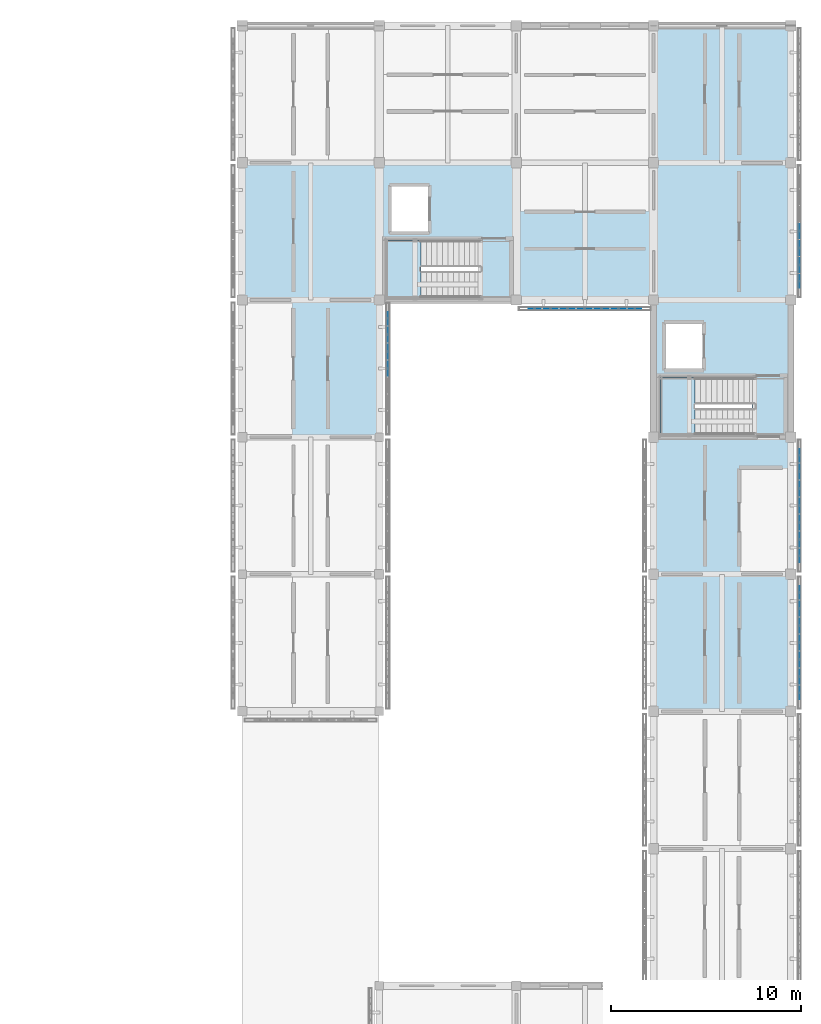
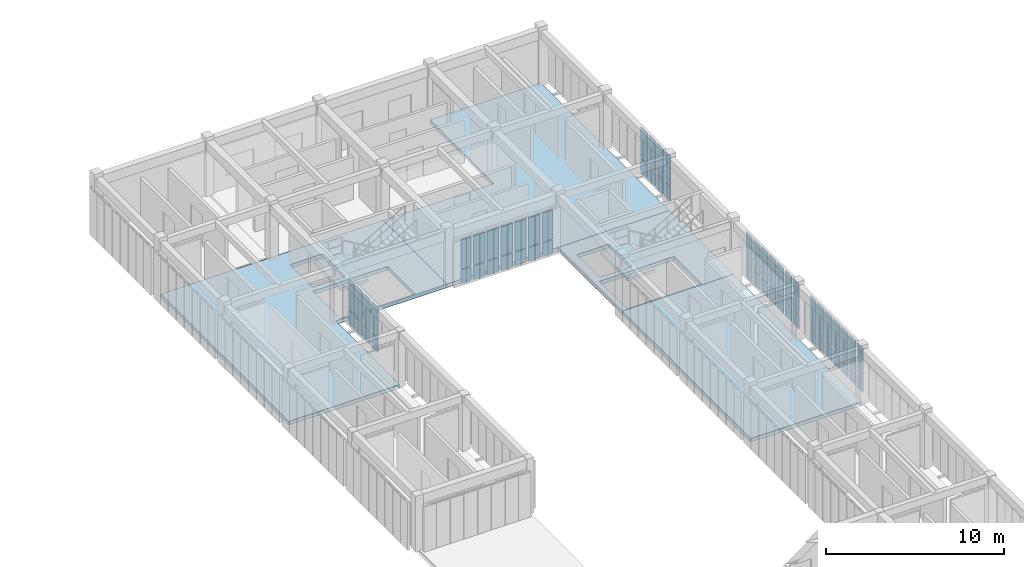
# One storey, part 49 of 67: 58 plates, 6 slabs, 7 elements without a shape of their own.
"""IFC4 building model written with IfcOpenShell, lengths in metres."""

from ifc_helpers import new_model, si_unit, direction, frame, origin, origin_2d, place, context, subcontext, project, spatial, polyline, rectangle, outline, extrude, material, layer, layer_set, type_object, element, aggregate, save


model = new_model("IFC4")

# Units and contexts
model_context = context("Model", 3, precision=1e-05, world=origin(), true_north=direction((0.0, 1.0)))
body_context = subcontext(model_context, "Body", "Model", "MODEL_VIEW")
ifc_project = project(units=[si_unit("LENGTHUNIT", "METRE"), si_unit("AREAUNIT", "SQUARE_METRE"), si_unit("VOLUMEUNIT", "CUBIC_METRE"), si_unit("PLANEANGLEUNIT", "RADIAN"), si_unit("MASSUNIT", "GRAM", prefix="KILO")], contexts=[model_context])

# Site, building, storey
site_placement = place(None, origin())
site = spatial("IfcSite", under=ifc_project, at=site_placement, CompositionType="ELEMENT")
building_placement = place(site_placement, origin())
building = spatial("IfcBuilding", under=site, at=building_placement, Name="Aldebral Square Health Centre", CompositionType="ELEMENT")
storey_placement = place(building_placement, frame((0.0, 0.0, 13.5)))
storey = spatial("IfcBuildingStorey", under=building, at=storey_placement, Name="L03", CompositionType="ELEMENT", Elevation=13.5)

# Curtain wall, plates
ifc_material_1 = material(Name="Aluminium and low-E solar glass", Category="aluminium")
curtain_wall_type = type_object("IfcCurtainWallType", Name="CW-FIN-SYS", PredefinedType="USERDEFINED", material=ifc_material_1)
curtain_wall_1_placement = place(storey_placement, origin())
curtain_wall_1 = element("IfcCurtainWall", 1, at=curtain_wall_1_placement, inside=storey, type_object=curtain_wall_type, Name="L03 V5 finned curtain wall L03-V5-21-14-S", ObjectType="SOLAR_CURTAIN_WALL", PredefinedType="USERDEFINED")
ifc_material_2 = material(Name="Solar-control low-E double glass", Category="glass")
ifc_layer_1 = layer(ifc_material_2, 0.02001953125, Name="Solar-control low-E double glass", Category="glass")
ifc_layer_set_1 = layer_set([ifc_layer_1], Name="Solar-control low-E double glass")
plate_type_1 = type_object("IfcPlateType", Name="CWP-GLZ-1", PredefinedType="CURTAIN_PANEL", material=ifc_layer_set_1)
plate_1_placement = place(storey_placement, frame((152.165771484375, 100.340087890625, 0.074951171875), z_axis=(0.0, 0.0, 1.0), x_axis=(1.0, 0.0, 0.0)))
plate_1 = element("IfcPlate", 2, at=plate_1_placement, type_object=plate_type_1, Name="CW1 panel 1.1", PredefinedType="CURTAIN_PANEL", context=body_context, shape_type="SweptSolid", body=[
    extrude(rectangle(XDim=0.6513671875, YDim=0.02001953125, at=origin_2d()), origin(), (0.0, 0.0, 1.0), 0.9375),
])
plate_2_placement = place(storey_placement, frame((152.165771484375, 100.340087890625, 1.08740234375), z_axis=(0.0, 0.0, 1.0), x_axis=(1.0, 0.0, 0.0)))
plate_2 = element("IfcPlate", 3, at=plate_2_placement, type_object=plate_type_1, Name="CW1 panel 1.2", PredefinedType="CURTAIN_PANEL", context=body_context, shape_type="SweptSolid", body=[
    extrude(rectangle(XDim=0.6513671875, YDim=0.02001953125, at=origin_2d()), origin(), (0.0, 0.0, 1.0), 1.9775390625),
])
plate_3_placement = place(storey_placement, frame((153.01708984375, 100.340087890625, 0.074951171875), z_axis=(0.0, 0.0, 1.0), x_axis=(1.0, 0.0, 0.0)))
plate_3 = element("IfcPlate", 4, at=plate_3_placement, type_object=plate_type_1, Name="CW1 panel 2.1", PredefinedType="CURTAIN_PANEL", context=body_context, shape_type="SweptSolid", body=[
    extrude(rectangle(XDim=0.7314453125, YDim=0.02001953125, at=origin_2d()), origin(), (0.0, 0.0, 1.0), 0.9375),
])
plate_4_placement = place(storey_placement, frame((153.01708984375, 100.340087890625, 1.08740234375), z_axis=(0.0, 0.0, 1.0), x_axis=(1.0, 0.0, 0.0)))
plate_4 = element("IfcPlate", 5, at=plate_4_placement, type_object=plate_type_1, Name="CW1 panel 2.2", PredefinedType="CURTAIN_PANEL", context=body_context, shape_type="SweptSolid", body=[
    extrude(rectangle(XDim=0.7314453125, YDim=0.02001953125, at=origin_2d()), origin(), (0.0, 0.0, 1.0), 1.9775390625),
])
plate_5_placement = place(storey_placement, frame((153.90869140625, 100.340087890625, 0.074951171875), z_axis=(0.0, 0.0, 1.0), x_axis=(1.0, 0.0, 0.0)))
plate_5 = element("IfcPlate", 6, at=plate_5_placement, type_object=plate_type_1, Name="CW1 panel 3.1", PredefinedType="CURTAIN_PANEL", context=body_context, shape_type="SweptSolid", body=[
    extrude(rectangle(XDim=0.7314453125, YDim=0.02001953125, at=origin_2d()), origin(), (0.0, 0.0, 1.0), 0.9375),
])
plate_6_placement = place(storey_placement, frame((153.90869140625, 100.340087890625, 1.08740234375), z_axis=(0.0, 0.0, 1.0), x_axis=(1.0, 0.0, 0.0)))
plate_6 = element("IfcPlate", 7, at=plate_6_placement, type_object=plate_type_1, Name="CW1 panel 3.2", PredefinedType="CURTAIN_PANEL", context=body_context, shape_type="SweptSolid", body=[
    extrude(rectangle(XDim=0.7314453125, YDim=0.02001953125, at=origin_2d()), origin(), (0.0, 0.0, 1.0), 1.9775390625),
])
plate_7_placement = place(storey_placement, frame((154.800048828125, 100.340087890625, 0.074951171875), z_axis=(0.0, 0.0, 1.0), x_axis=(1.0, 0.0, 0.0)))
plate_7 = element("IfcPlate", 8, at=plate_7_placement, type_object=plate_type_1, Name="CW1 panel 4.1", PredefinedType="CURTAIN_PANEL", context=body_context, shape_type="SweptSolid", body=[
    extrude(rectangle(XDim=0.7314453125, YDim=0.02001953125, at=origin_2d()), origin(), (0.0, 0.0, 1.0), 0.9375),
])
plate_8_placement = place(storey_placement, frame((154.800048828125, 100.340087890625, 1.08740234375), z_axis=(0.0, 0.0, 1.0), x_axis=(1.0, 0.0, 0.0)))
plate_8 = element("IfcPlate", 9, at=plate_8_placement, type_object=plate_type_1, Name="CW1 panel 4.2", PredefinedType="CURTAIN_PANEL", context=body_context, shape_type="SweptSolid", body=[
    extrude(rectangle(XDim=0.7314453125, YDim=0.02001953125, at=origin_2d()), origin(), (0.0, 0.0, 1.0), 1.9775390625),
])
plate_9_placement = place(storey_placement, frame((155.69140625, 100.340087890625, 0.074951171875), z_axis=(0.0, 0.0, 1.0), x_axis=(1.0, 0.0, 0.0)))
plate_9 = element("IfcPlate", 10, at=plate_9_placement, type_object=plate_type_1, Name="CW1 panel 5.1", PredefinedType="CURTAIN_PANEL", context=body_context, shape_type="SweptSolid", body=[
    extrude(rectangle(XDim=0.7314453125, YDim=0.02001953125, at=origin_2d()), origin(), (0.0, 0.0, 1.0), 0.9375),
])
plate_10_placement = place(storey_placement, frame((155.69140625, 100.340087890625, 1.08740234375), z_axis=(0.0, 0.0, 1.0), x_axis=(1.0, 0.0, 0.0)))
plate_10 = element("IfcPlate", 11, at=plate_10_placement, type_object=plate_type_1, Name="CW1 panel 5.2", PredefinedType="CURTAIN_PANEL", context=body_context, shape_type="SweptSolid", body=[
    extrude(rectangle(XDim=0.7314453125, YDim=0.02001953125, at=origin_2d()), origin(), (0.0, 0.0, 1.0), 1.9775390625),
])
plate_11_placement = place(storey_placement, frame((156.582763671875, 100.340087890625, 0.074951171875), z_axis=(0.0, 0.0, 1.0), x_axis=(1.0, 0.0, 0.0)))
plate_11 = element("IfcPlate", 12, at=plate_11_placement, type_object=plate_type_1, Name="CW1 panel 6.1", PredefinedType="CURTAIN_PANEL", context=body_context, shape_type="SweptSolid", body=[
    extrude(rectangle(XDim=0.7314453125, YDim=0.02001953125, at=origin_2d()), origin(), (0.0, 0.0, 1.0), 0.9375),
])
plate_12_placement = place(storey_placement, frame((156.582763671875, 100.340087890625, 1.08740234375), z_axis=(0.0, 0.0, 1.0), x_axis=(1.0, 0.0, 0.0)))
plate_12 = element("IfcPlate", 13, at=plate_12_placement, type_object=plate_type_1, Name="CW1 panel 6.2", PredefinedType="CURTAIN_PANEL", context=body_context, shape_type="SweptSolid", body=[
    extrude(rectangle(XDim=0.7314453125, YDim=0.02001953125, at=origin_2d()), origin(), (0.0, 0.0, 1.0), 1.9775390625),
])
plate_13_placement = place(storey_placement, frame((157.434326171875, 100.340087890625, 0.074951171875), z_axis=(0.0, 0.0, 1.0), x_axis=(1.0, 0.0, 0.0)))
plate_13 = element("IfcPlate", 14, at=plate_13_placement, type_object=plate_type_1, Name="CW1 panel 7.1", PredefinedType="CURTAIN_PANEL", context=body_context, shape_type="SweptSolid", body=[
    extrude(rectangle(XDim=0.6513671875, YDim=0.02001953125, at=origin_2d()), origin(), (0.0, 0.0, 1.0), 0.9375),
])
plate_14_placement = place(storey_placement, frame((157.434326171875, 100.340087890625, 1.08740234375), z_axis=(0.0, 0.0, 1.0), x_axis=(1.0, 0.0, 0.0)))
plate_14 = element("IfcPlate", 15, at=plate_14_placement, type_object=plate_type_1, Name="CW1 panel 7.2", PredefinedType="CURTAIN_PANEL", context=body_context, shape_type="SweptSolid", body=[
    extrude(rectangle(XDim=0.6513671875, YDim=0.02001953125, at=origin_2d()), origin(), (0.0, 0.0, 1.0), 1.9775390625),
])
aggregate(curtain_wall_1, [plate_1, plate_2, plate_3, plate_4, plate_5, plate_6, plate_7, plate_8, plate_9, plate_10, plate_11, plate_12, plate_13, plate_14])

curtain_wall_2_placement = place(storey_placement, origin())
curtain_wall_2 = element("IfcCurtainWall", 16, at=curtain_wall_2_placement, inside=storey, type_object=curtain_wall_type, Name="L03 V5 finned curtain wall L03-V5-22-11-E", ObjectType="SOLAR_CURTAIN_WALL", PredefinedType="USERDEFINED")
plate_15_placement = place(storey_placement, frame((166.06005859375, 80.165771484375, 0.074951171875), z_axis=(0.0, 0.0, 1.0), x_axis=(0.0, 1.0, 0.0)))
plate_15 = element("IfcPlate", 17, at=plate_15_placement, type_object=plate_type_1, Name="CW1 panel 1.1", PredefinedType="CURTAIN_PANEL", context=body_context, shape_type="SweptSolid", body=[
    extrude(rectangle(XDim=0.6513671875, YDim=0.02001953125, at=origin_2d()), origin(), (0.0, 0.0, 1.0), 0.9375),
])
plate_16_placement = place(storey_placement, frame((166.06005859375, 80.165771484375, 1.08740234375), z_axis=(0.0, 0.0, 1.0), x_axis=(0.0, 1.0, 0.0)))
plate_16 = element("IfcPlate", 18, at=plate_16_placement, type_object=plate_type_1, Name="CW1 panel 1.2", PredefinedType="CURTAIN_PANEL", context=body_context, shape_type="SweptSolid", body=[
    extrude(rectangle(XDim=0.6513671875, YDim=0.02001953125, at=origin_2d()), origin(), (0.0, 0.0, 1.0), 2.077392578125),
])
plate_17_placement = place(storey_placement, frame((166.06005859375, 81.01708984375, 0.074951171875), z_axis=(0.0, 0.0, 1.0), x_axis=(0.0, 1.0, 0.0)))
plate_17 = element("IfcPlate", 19, at=plate_17_placement, type_object=plate_type_1, Name="CW1 panel 2.1", PredefinedType="CURTAIN_PANEL", context=body_context, shape_type="SweptSolid", body=[
    extrude(rectangle(XDim=0.7314453125, YDim=0.02001953125, at=origin_2d()), origin(), (0.0, 0.0, 1.0), 0.9375),
])
plate_18_placement = place(storey_placement, frame((166.06005859375, 81.01708984375, 1.08740234375), z_axis=(0.0, 0.0, 1.0), x_axis=(0.0, 1.0, 0.0)))
plate_18 = element("IfcPlate", 20, at=plate_18_placement, type_object=plate_type_1, Name="CW1 panel 2.2", PredefinedType="CURTAIN_PANEL", context=body_context, shape_type="SweptSolid", body=[
    extrude(rectangle(XDim=0.7314453125, YDim=0.02001953125, at=origin_2d()), origin(), (0.0, 0.0, 1.0), 2.077392578125),
])
plate_19_placement = place(storey_placement, frame((166.06005859375, 81.90869140625, 0.074951171875), z_axis=(0.0, 0.0, 1.0), x_axis=(0.0, 1.0, 0.0)))
plate_19 = element("IfcPlate", 21, at=plate_19_placement, type_object=plate_type_1, Name="CW1 panel 3.1", PredefinedType="CURTAIN_PANEL", context=body_context, shape_type="SweptSolid", body=[
    extrude(rectangle(XDim=0.7314453125, YDim=0.02001953125, at=origin_2d()), origin(), (0.0, 0.0, 1.0), 0.9375),
])
plate_20_placement = place(storey_placement, frame((166.06005859375, 81.90869140625, 1.08740234375), z_axis=(0.0, 0.0, 1.0), x_axis=(0.0, 1.0, 0.0)))
plate_20 = element("IfcPlate", 22, at=plate_20_placement, type_object=plate_type_1, Name="CW1 panel 3.2", PredefinedType="CURTAIN_PANEL", context=body_context, shape_type="SweptSolid", body=[
    extrude(rectangle(XDim=0.7314453125, YDim=0.02001953125, at=origin_2d()), origin(), (0.0, 0.0, 1.0), 2.077392578125),
])
plate_21_placement = place(storey_placement, frame((166.06005859375, 82.800048828125, 0.074951171875), z_axis=(0.0, 0.0, 1.0), x_axis=(0.0, 1.0, 0.0)))
plate_21 = element("IfcPlate", 23, at=plate_21_placement, type_object=plate_type_1, Name="CW1 panel 4.1", PredefinedType="CURTAIN_PANEL", context=body_context, shape_type="SweptSolid", body=[
    extrude(rectangle(XDim=0.7314453125, YDim=0.02001953125, at=origin_2d()), origin(), (0.0, 0.0, 1.0), 0.9375),
])
plate_22_placement = place(storey_placement, frame((166.06005859375, 82.800048828125, 1.08740234375), z_axis=(0.0, 0.0, 1.0), x_axis=(0.0, 1.0, 0.0)))
plate_22 = element("IfcPlate", 24, at=plate_22_placement, type_object=plate_type_1, Name="CW1 panel 4.2", PredefinedType="CURTAIN_PANEL", context=body_context, shape_type="SweptSolid", body=[
    extrude(rectangle(XDim=0.7314453125, YDim=0.02001953125, at=origin_2d()), origin(), (0.0, 0.0, 1.0), 2.077392578125),
])
plate_23_placement = place(storey_placement, frame((166.06005859375, 83.69140625, 0.074951171875), z_axis=(0.0, 0.0, 1.0), x_axis=(0.0, 1.0, 0.0)))
plate_23 = element("IfcPlate", 25, at=plate_23_placement, type_object=plate_type_1, Name="CW1 panel 5.1", PredefinedType="CURTAIN_PANEL", context=body_context, shape_type="SweptSolid", body=[
    extrude(rectangle(XDim=0.7314453125, YDim=0.02001953125, at=origin_2d()), origin(), (0.0, 0.0, 1.0), 0.9375),
])
plate_24_placement = place(storey_placement, frame((166.06005859375, 83.69140625, 1.08740234375), z_axis=(0.0, 0.0, 1.0), x_axis=(0.0, 1.0, 0.0)))
plate_24 = element("IfcPlate", 26, at=plate_24_placement, type_object=plate_type_1, Name="CW1 panel 5.2", PredefinedType="CURTAIN_PANEL", context=body_context, shape_type="SweptSolid", body=[
    extrude(rectangle(XDim=0.7314453125, YDim=0.02001953125, at=origin_2d()), origin(), (0.0, 0.0, 1.0), 2.077392578125),
])
plate_25_placement = place(storey_placement, frame((166.06005859375, 84.582763671875, 0.074951171875), z_axis=(0.0, 0.0, 1.0), x_axis=(0.0, 1.0, 0.0)))
plate_25 = element("IfcPlate", 27, at=plate_25_placement, type_object=plate_type_1, Name="CW1 panel 6.1", PredefinedType="CURTAIN_PANEL", context=body_context, shape_type="SweptSolid", body=[
    extrude(rectangle(XDim=0.7314453125, YDim=0.02001953125, at=origin_2d()), origin(), (0.0, 0.0, 1.0), 0.9375),
])
plate_26_placement = place(storey_placement, frame((166.06005859375, 84.582763671875, 1.08740234375), z_axis=(0.0, 0.0, 1.0), x_axis=(0.0, 1.0, 0.0)))
plate_26 = element("IfcPlate", 28, at=plate_26_placement, type_object=plate_type_1, Name="CW1 panel 6.2", PredefinedType="CURTAIN_PANEL", context=body_context, shape_type="SweptSolid", body=[
    extrude(rectangle(XDim=0.7314453125, YDim=0.02001953125, at=origin_2d()), origin(), (0.0, 0.0, 1.0), 2.077392578125),
])
plate_27_placement = place(storey_placement, frame((166.06005859375, 85.434326171875, 0.074951171875), z_axis=(0.0, 0.0, 1.0), x_axis=(0.0, 1.0, 0.0)))
plate_27 = element("IfcPlate", 29, at=plate_27_placement, type_object=plate_type_1, Name="CW1 panel 7.1", PredefinedType="CURTAIN_PANEL", context=body_context, shape_type="SweptSolid", body=[
    extrude(rectangle(XDim=0.6513671875, YDim=0.02001953125, at=origin_2d()), origin(), (0.0, 0.0, 1.0), 0.9375),
])
plate_28_placement = place(storey_placement, frame((166.06005859375, 85.434326171875, 1.08740234375), z_axis=(0.0, 0.0, 1.0), x_axis=(0.0, 1.0, 0.0)))
plate_28 = element("IfcPlate", 30, at=plate_28_placement, type_object=plate_type_1, Name="CW1 panel 7.2", PredefinedType="CURTAIN_PANEL", context=body_context, shape_type="SweptSolid", body=[
    extrude(rectangle(XDim=0.6513671875, YDim=0.02001953125, at=origin_2d()), origin(), (0.0, 0.0, 1.0), 2.077392578125),
])
aggregate(curtain_wall_2, [plate_15, plate_16, plate_17, plate_18, plate_19, plate_20, plate_21, plate_22, plate_23, plate_24, plate_25, plate_26, plate_27, plate_28])

curtain_wall_3_placement = place(storey_placement, origin())
curtain_wall_3 = element("IfcCurtainWall", 31, at=curtain_wall_3_placement, inside=storey, type_object=curtain_wall_type, Name="L03 V5 finned curtain wall L03-V5-19-13-E", ObjectType="SOLAR_CURTAIN_WALL", PredefinedType="USERDEFINED")
ifc_layer_2 = layer(ifc_material_2, 0.0400390625, Name="Solar-control low-E double glass", Category="glass")
ifc_layer_set_2 = layer_set([ifc_layer_2], Name="Solar-control low-E double glass")
plate_type_2 = type_object("IfcPlateType", Name="CWP-GLZ-3", PredefinedType="CURTAIN_PANEL", material=ifc_layer_set_2)
plate_29_placement = place(storey_placement, frame((144.4599609375, 97.199951171875, 0.074951171875), z_axis=(0.0, 0.0, 1.0), x_axis=(0.0, 1.0, 0.0)))
plate_29 = element("IfcPlate", 32, at=plate_29_placement, type_object=plate_type_2, Name="CW1 panel 4.1", PredefinedType="CURTAIN_PANEL", context=body_context, shape_type="SweptSolid", body=[
    extrude(rectangle(XDim=0.7314453125, YDim=0.0400390625, at=origin_2d()), origin(), (0.0, 0.0, 1.0), 0.9375),
])
plate_30_placement = place(storey_placement, frame((144.4599609375, 97.199951171875, 1.08740234375), z_axis=(0.0, 0.0, 1.0), x_axis=(0.0, 1.0, 0.0)))
plate_30 = element("IfcPlate", 33, at=plate_30_placement, type_object=plate_type_2, Name="CW1 panel 4.2", PredefinedType="CURTAIN_PANEL", context=body_context, shape_type="SweptSolid", body=[
    extrude(rectangle(XDim=0.7314453125, YDim=0.0400390625, at=origin_2d()), origin(), (0.0, 0.0, 1.0), 2.077392578125),
])
plate_31_placement = place(storey_placement, frame((144.4599609375, 98.09130859375, 0.074951171875), z_axis=(0.0, 0.0, 1.0), x_axis=(0.0, 1.0, 0.0)))
plate_31 = element("IfcPlate", 34, at=plate_31_placement, type_object=plate_type_2, Name="CW1 panel 5.1", PredefinedType="CURTAIN_PANEL", context=body_context, shape_type="SweptSolid", body=[
    extrude(rectangle(XDim=0.7314453125, YDim=0.0400390625, at=origin_2d()), origin(), (0.0, 0.0, 1.0), 0.9375),
])
plate_32_placement = place(storey_placement, frame((144.4599609375, 98.09130859375, 1.08740234375), z_axis=(0.0, 0.0, 1.0), x_axis=(0.0, 1.0, 0.0)))
plate_32 = element("IfcPlate", 35, at=plate_32_placement, type_object=plate_type_2, Name="CW1 panel 5.2", PredefinedType="CURTAIN_PANEL", context=body_context, shape_type="SweptSolid", body=[
    extrude(rectangle(XDim=0.7314453125, YDim=0.0400390625, at=origin_2d()), origin(), (0.0, 0.0, 1.0), 2.077392578125),
])
plate_33_placement = place(storey_placement, frame((144.4599609375, 98.98291015625, 0.074951171875), z_axis=(0.0, 0.0, 1.0), x_axis=(0.0, 1.0, 0.0)))
plate_33 = element("IfcPlate", 36, at=plate_33_placement, type_object=plate_type_2, Name="CW1 panel 6.1", PredefinedType="CURTAIN_PANEL", context=body_context, shape_type="SweptSolid", body=[
    extrude(rectangle(XDim=0.7314453125, YDim=0.0400390625, at=origin_2d()), origin(), (0.0, 0.0, 1.0), 0.9375),
])
plate_34_placement = place(storey_placement, frame((144.4599609375, 98.98291015625, 1.08740234375), z_axis=(0.0, 0.0, 1.0), x_axis=(0.0, 1.0, 0.0)))
plate_34 = element("IfcPlate", 37, at=plate_34_placement, type_object=plate_type_2, Name="CW1 panel 6.2", PredefinedType="CURTAIN_PANEL", context=body_context, shape_type="SweptSolid", body=[
    extrude(rectangle(XDim=0.7314453125, YDim=0.0400390625, at=origin_2d()), origin(), (0.0, 0.0, 1.0), 2.077392578125),
])
plate_35_placement = place(storey_placement, frame((144.4599609375, 99.834228515625, 0.074951171875), z_axis=(0.0, 0.0, 1.0), x_axis=(0.0, 1.0, 0.0)))
plate_35 = element("IfcPlate", 38, at=plate_35_placement, type_object=plate_type_2, Name="CW1 panel 7.1", PredefinedType="CURTAIN_PANEL", context=body_context, shape_type="SweptSolid", body=[
    extrude(rectangle(XDim=0.6513671875, YDim=0.0400390625, at=origin_2d()), origin(), (0.0, 0.0, 1.0), 0.9375),
])
plate_36_placement = place(storey_placement, frame((144.4599609375, 99.834228515625, 1.08740234375), z_axis=(0.0, 0.0, 1.0), x_axis=(0.0, 1.0, 0.0)))
plate_36 = element("IfcPlate", 39, at=plate_36_placement, type_object=plate_type_2, Name="CW1 panel 7.2", PredefinedType="CURTAIN_PANEL", context=body_context, shape_type="SweptSolid", body=[
    extrude(rectangle(XDim=0.6513671875, YDim=0.0400390625, at=origin_2d()), origin(), (0.0, 0.0, 1.0), 2.077392578125),
])
aggregate(curtain_wall_3, [plate_29, plate_30, plate_31, plate_32, plate_33, plate_34, plate_35, plate_36])

curtain_wall_4_placement = place(storey_placement, origin())
curtain_wall_4 = element("IfcCurtainWall", 40, at=curtain_wall_4_placement, inside=storey, type_object=curtain_wall_type, Name="L03 V5 finned curtain wall L03-V5-22-12-E", ObjectType="SOLAR_CURTAIN_WALL", PredefinedType="USERDEFINED")
plate_37_placement = place(storey_placement, frame((166.06005859375, 87.36572265625, 0.074951171875), z_axis=(0.0, 0.0, 1.0), x_axis=(0.0, 1.0, 0.0)))
plate_37 = element("IfcPlate", 41, at=plate_37_placement, type_object=plate_type_2, Name="CW1 panel 1.1", PredefinedType="CURTAIN_PANEL", context=body_context, shape_type="SweptSolid", body=[
    extrude(rectangle(XDim=0.6513671875, YDim=0.0400390625, at=origin_2d()), origin(), (0.0, 0.0, 1.0), 0.9375),
])
plate_38_placement = place(storey_placement, frame((166.06005859375, 87.36572265625, 1.08740234375), z_axis=(0.0, 0.0, 1.0), x_axis=(0.0, 1.0, 0.0)))
plate_38 = element("IfcPlate", 42, at=plate_38_placement, type_object=plate_type_2, Name="CW1 panel 1.2", PredefinedType="CURTAIN_PANEL", context=body_context, shape_type="SweptSolid", body=[
    extrude(rectangle(XDim=0.6513671875, YDim=0.0400390625, at=origin_2d()), origin(), (0.0, 0.0, 1.0), 2.077392578125),
])
plate_39_placement = place(storey_placement, frame((166.06005859375, 88.217041015625, 0.074951171875), z_axis=(0.0, 0.0, 1.0), x_axis=(0.0, 1.0, 0.0)))
plate_39 = element("IfcPlate", 43, at=plate_39_placement, type_object=plate_type_2, Name="CW1 panel 2.1", PredefinedType="CURTAIN_PANEL", context=body_context, shape_type="SweptSolid", body=[
    extrude(rectangle(XDim=0.7314453125, YDim=0.0400390625, at=origin_2d()), origin(), (0.0, 0.0, 1.0), 0.9375),
])
plate_40_placement = place(storey_placement, frame((166.06005859375, 88.217041015625, 1.08740234375), z_axis=(0.0, 0.0, 1.0), x_axis=(0.0, 1.0, 0.0)))
plate_40 = element("IfcPlate", 44, at=plate_40_placement, type_object=plate_type_2, Name="CW1 panel 2.2", PredefinedType="CURTAIN_PANEL", context=body_context, shape_type="SweptSolid", body=[
    extrude(rectangle(XDim=0.7314453125, YDim=0.0400390625, at=origin_2d()), origin(), (0.0, 0.0, 1.0), 2.077392578125),
])
plate_41_placement = place(storey_placement, frame((166.06005859375, 89.108642578125, 0.074951171875), z_axis=(0.0, 0.0, 1.0), x_axis=(0.0, 1.0, 0.0)))
plate_41 = element("IfcPlate", 45, at=plate_41_placement, type_object=plate_type_2, Name="CW1 panel 3.1", PredefinedType="CURTAIN_PANEL", context=body_context, shape_type="SweptSolid", body=[
    extrude(rectangle(XDim=0.7314453125, YDim=0.0400390625, at=origin_2d()), origin(), (0.0, 0.0, 1.0), 0.9375),
])
plate_42_placement = place(storey_placement, frame((166.06005859375, 89.108642578125, 1.08740234375), z_axis=(0.0, 0.0, 1.0), x_axis=(0.0, 1.0, 0.0)))
plate_42 = element("IfcPlate", 46, at=plate_42_placement, type_object=plate_type_2, Name="CW1 panel 3.2", PredefinedType="CURTAIN_PANEL", context=body_context, shape_type="SweptSolid", body=[
    extrude(rectangle(XDim=0.7314453125, YDim=0.0400390625, at=origin_2d()), origin(), (0.0, 0.0, 1.0), 2.077392578125),
])
plate_43_placement = place(storey_placement, frame((166.06005859375, 90.0, 0.074951171875), z_axis=(0.0, 0.0, 1.0), x_axis=(0.0, 1.0, 0.0)))
plate_43 = element("IfcPlate", 47, at=plate_43_placement, type_object=plate_type_2, Name="CW1 panel 4.1", PredefinedType="CURTAIN_PANEL", context=body_context, shape_type="SweptSolid", body=[
    extrude(rectangle(XDim=0.7314453125, YDim=0.0400390625, at=origin_2d()), origin(), (0.0, 0.0, 1.0), 0.9375),
])
plate_44_placement = place(storey_placement, frame((166.06005859375, 90.0, 1.08740234375), z_axis=(0.0, 0.0, 1.0), x_axis=(0.0, 1.0, 0.0)))
plate_44 = element("IfcPlate", 48, at=plate_44_placement, type_object=plate_type_2, Name="CW1 panel 4.2", PredefinedType="CURTAIN_PANEL", context=body_context, shape_type="SweptSolid", body=[
    extrude(rectangle(XDim=0.7314453125, YDim=0.0400390625, at=origin_2d()), origin(), (0.0, 0.0, 1.0), 2.077392578125),
])
plate_45_placement = place(storey_placement, frame((166.06005859375, 90.891357421875, 0.074951171875), z_axis=(0.0, 0.0, 1.0), x_axis=(0.0, 1.0, 0.0)))
plate_45 = element("IfcPlate", 49, at=plate_45_placement, type_object=plate_type_2, Name="CW1 panel 5.1", PredefinedType="CURTAIN_PANEL", context=body_context, shape_type="SweptSolid", body=[
    extrude(rectangle(XDim=0.7314453125, YDim=0.0400390625, at=origin_2d()), origin(), (0.0, 0.0, 1.0), 0.9375),
])
plate_46_placement = place(storey_placement, frame((166.06005859375, 90.891357421875, 1.08740234375), z_axis=(0.0, 0.0, 1.0), x_axis=(0.0, 1.0, 0.0)))
plate_46 = element("IfcPlate", 50, at=plate_46_placement, type_object=plate_type_2, Name="CW1 panel 5.2", PredefinedType="CURTAIN_PANEL", context=body_context, shape_type="SweptSolid", body=[
    extrude(rectangle(XDim=0.7314453125, YDim=0.0400390625, at=origin_2d()), origin(), (0.0, 0.0, 1.0), 2.077392578125),
])
plate_47_placement = place(storey_placement, frame((166.06005859375, 91.782958984375, 0.074951171875), z_axis=(0.0, 0.0, 1.0), x_axis=(0.0, 1.0, 0.0)))
plate_47 = element("IfcPlate", 51, at=plate_47_placement, type_object=plate_type_2, Name="CW1 panel 6.1", PredefinedType="CURTAIN_PANEL", context=body_context, shape_type="SweptSolid", body=[
    extrude(rectangle(XDim=0.7314453125, YDim=0.0400390625, at=origin_2d()), origin(), (0.0, 0.0, 1.0), 0.9375),
])
plate_48_placement = place(storey_placement, frame((166.06005859375, 91.782958984375, 1.08740234375), z_axis=(0.0, 0.0, 1.0), x_axis=(0.0, 1.0, 0.0)))
plate_48 = element("IfcPlate", 52, at=plate_48_placement, type_object=plate_type_2, Name="CW1 panel 6.2", PredefinedType="CURTAIN_PANEL", context=body_context, shape_type="SweptSolid", body=[
    extrude(rectangle(XDim=0.7314453125, YDim=0.0400390625, at=origin_2d()), origin(), (0.0, 0.0, 1.0), 2.077392578125),
])
plate_49_placement = place(storey_placement, frame((166.06005859375, 92.63427734375, 0.074951171875), z_axis=(0.0, 0.0, 1.0), x_axis=(0.0, 1.0, 0.0)))
plate_49 = element("IfcPlate", 53, at=plate_49_placement, type_object=plate_type_2, Name="CW1 panel 7.1", PredefinedType="CURTAIN_PANEL", context=body_context, shape_type="SweptSolid", body=[
    extrude(rectangle(XDim=0.6513671875, YDim=0.0400390625, at=origin_2d()), origin(), (0.0, 0.0, 1.0), 0.9375),
])
plate_50_placement = place(storey_placement, frame((166.06005859375, 92.63427734375, 1.08740234375), z_axis=(0.0, 0.0, 1.0), x_axis=(0.0, 1.0, 0.0)))
plate_50 = element("IfcPlate", 54, at=plate_50_placement, type_object=plate_type_2, Name="CW1 panel 7.2", PredefinedType="CURTAIN_PANEL", context=body_context, shape_type="SweptSolid", body=[
    extrude(rectangle(XDim=0.6513671875, YDim=0.0400390625, at=origin_2d()), origin(), (0.0, 0.0, 1.0), 2.077392578125),
])
aggregate(curtain_wall_4, [plate_37, plate_38, plate_39, plate_40, plate_41, plate_42, plate_43, plate_44, plate_45, plate_46, plate_47, plate_48, plate_49, plate_50])

curtain_wall_5_placement = place(storey_placement, origin())
curtain_wall_5 = element("IfcCurtainWall", 55, at=curtain_wall_5_placement, inside=storey, type_object=curtain_wall_type, Name="L03 V5 finned curtain wall L03-V5-22-14-E", ObjectType="SOLAR_CURTAIN_WALL", PredefinedType="USERDEFINED")
ifc_layer_3 = layer(ifc_material_2, 0.050048828125, Name="Solar-control low-E double glass", Category="glass")
ifc_layer_set_3 = layer_set([ifc_layer_3], Name="Solar-control low-E double glass")
plate_type_3 = type_object("IfcPlateType", Name="CWP-GLZ-4", PredefinedType="CURTAIN_PANEL", material=ifc_layer_set_3)
plate_51_placement = place(storey_placement, frame((166.06005859375, 101.765625, 0.074951171875), z_axis=(0.0, 0.0, 1.0), x_axis=(0.0, 1.0, 0.0)))
plate_51 = element("IfcPlate", 56, at=plate_51_placement, type_object=plate_type_3, Name="CW1 panel 1.1", PredefinedType="CURTAIN_PANEL", context=body_context, shape_type="SweptSolid", body=[
    extrude(rectangle(XDim=0.6513671875, YDim=0.050048828125, at=origin_2d()), origin(), (0.0, 0.0, 1.0), 0.9375),
])
plate_52_placement = place(storey_placement, frame((166.06005859375, 101.765625, 1.08740234375), z_axis=(0.0, 0.0, 1.0), x_axis=(0.0, 1.0, 0.0)))
plate_52 = element("IfcPlate", 57, at=plate_52_placement, type_object=plate_type_3, Name="CW1 panel 1.2", PredefinedType="CURTAIN_PANEL", context=body_context, shape_type="SweptSolid", body=[
    extrude(rectangle(XDim=0.6513671875, YDim=0.050048828125, at=origin_2d()), origin(), (0.0, 0.0, 1.0), 2.077392578125),
])
plate_53_placement = place(storey_placement, frame((166.06005859375, 102.6171875, 0.074951171875), z_axis=(0.0, 0.0, 1.0), x_axis=(0.0, 1.0, 0.0)))
plate_53 = element("IfcPlate", 58, at=plate_53_placement, type_object=plate_type_3, Name="CW1 panel 2.1", PredefinedType="CURTAIN_PANEL", context=body_context, shape_type="SweptSolid", body=[
    extrude(rectangle(XDim=0.7314453125, YDim=0.050048828125, at=origin_2d()), origin(), (0.0, 0.0, 1.0), 0.9375),
])
plate_54_placement = place(storey_placement, frame((166.06005859375, 102.6171875, 1.08740234375), z_axis=(0.0, 0.0, 1.0), x_axis=(0.0, 1.0, 0.0)))
plate_54 = element("IfcPlate", 59, at=plate_54_placement, type_object=plate_type_3, Name="CW1 panel 2.2", PredefinedType="CURTAIN_PANEL", context=body_context, shape_type="SweptSolid", body=[
    extrude(rectangle(XDim=0.7314453125, YDim=0.050048828125, at=origin_2d()), origin(), (0.0, 0.0, 1.0), 2.077392578125),
])
plate_55_placement = place(storey_placement, frame((166.06005859375, 103.508544921875, 0.074951171875), z_axis=(0.0, 0.0, 1.0), x_axis=(0.0, 1.0, 0.0)))
plate_55 = element("IfcPlate", 60, at=plate_55_placement, type_object=plate_type_3, Name="CW1 panel 3.1", PredefinedType="CURTAIN_PANEL", context=body_context, shape_type="SweptSolid", body=[
    extrude(rectangle(XDim=0.7314453125, YDim=0.050048828125, at=origin_2d()), origin(), (0.0, 0.0, 1.0), 0.9375),
])
plate_56_placement = place(storey_placement, frame((166.06005859375, 103.508544921875, 1.08740234375), z_axis=(0.0, 0.0, 1.0), x_axis=(0.0, 1.0, 0.0)))
plate_56 = element("IfcPlate", 61, at=plate_56_placement, type_object=plate_type_3, Name="CW1 panel 3.2", PredefinedType="CURTAIN_PANEL", context=body_context, shape_type="SweptSolid", body=[
    extrude(rectangle(XDim=0.7314453125, YDim=0.050048828125, at=origin_2d()), origin(), (0.0, 0.0, 1.0), 2.077392578125),
])
plate_57_placement = place(storey_placement, frame((166.06005859375, 104.39990234375, 0.074951171875), z_axis=(0.0, 0.0, 1.0), x_axis=(0.0, 1.0, 0.0)))
plate_57 = element("IfcPlate", 62, at=plate_57_placement, type_object=plate_type_3, Name="CW1 panel 4.1", PredefinedType="CURTAIN_PANEL", context=body_context, shape_type="SweptSolid", body=[
    extrude(rectangle(XDim=0.7314453125, YDim=0.050048828125, at=origin_2d()), origin(), (0.0, 0.0, 1.0), 0.9375),
])
plate_58_placement = place(storey_placement, frame((166.06005859375, 104.39990234375, 1.08740234375), z_axis=(0.0, 0.0, 1.0), x_axis=(0.0, 1.0, 0.0)))
plate_58 = element("IfcPlate", 63, at=plate_58_placement, type_object=plate_type_3, Name="CW1 panel 4.2", PredefinedType="CURTAIN_PANEL", context=body_context, shape_type="SweptSolid", body=[
    extrude(rectangle(XDim=0.7314453125, YDim=0.050048828125, at=origin_2d()), origin(), (0.0, 0.0, 1.0), 2.077392578125),
])
aggregate(curtain_wall_5, [plate_51, plate_52, plate_53, plate_54, plate_55, plate_56, plate_57, plate_58])

# Slabs
ifc_material_3 = material(Name="Concrete C35/45", Category="concrete")
ifc_layer_4 = layer(ifc_material_3, 0.25, Name="Concrete C35/45", Category="concrete")
ifc_layer_set_4 = layer_set([ifc_layer_4], Name="Concrete C35/45")
slab_type_1 = type_object("IfcSlabType", Name="SL-FLR-250", PredefinedType="FLOOR", material=ifc_layer_set_4)
slab_1_placement = place(storey_placement, frame((0.0, 0.0, -0.25)))
element("IfcSlab", 64, at=slab_1_placement, inside=storey, type_object=slab_type_1, Name="L03 V5 floor slab 2", PredefinedType="FLOOR", context=body_context, shape_type="SweptSolid", body=[
    extrude(outline(polyline([(136.800048828125, 93.60009765625), (136.800048828125, 100.800048828125), (136.800048828125, 108.0), (144.0, 108.0), (151.199951171875, 108.0), (151.199951171875, 100.800048828125), (144.0, 100.800048828125), (144.0, 93.60009765625), (136.800048828125, 93.60009765625)]), holes=[polyline([(144.340087890625, 103.9599609375), (144.340087890625, 100.8798828125), (149.179931640625, 100.8798828125), (149.179931640625, 103.9599609375), (144.340087890625, 103.9599609375)]), polyline([(146.64990234375, 106.85009765625), (144.550048828125, 106.85009765625), (144.550048828125, 104.300048828125), (146.64990234375, 104.300048828125), (146.64990234375, 106.85009765625)])]), origin(), (0.0, 0.0, 1.0), 0.25),
])
slab_2_placement = place(storey_placement, frame((0.0, 0.0, -0.25)))
element("IfcSlab", 65, at=slab_2_placement, inside=storey, type_object=slab_type_1, Name="L03 V5 floor slab 5", PredefinedType="FLOOR", context=body_context, shape_type="SweptSolid", body=[
    extrude(outline(polyline([(151.199951171875, 108.0), (158.39990234375, 108.0), (158.39990234375, 115.199951171875), (165.60009765625, 115.199951171875), (165.60009765625, 108.0), (165.60009765625, 100.800048828125), (158.39990234375, 100.800048828125), (151.199951171875, 100.800048828125), (151.199951171875, 108.0)])), origin(), (0.0, 0.0, 1.0), 0.25),
])
slab_3_placement = place(storey_placement, frame((0.0, 0.0, -0.25)))
element("IfcSlab", 66, at=slab_3_placement, inside=storey, type_object=slab_type_1, Name="L03 V5 floor slab 7", PredefinedType="FLOOR", context=body_context, shape_type="SweptSolid", body=[
    extrude(outline(polyline([(158.39990234375, 79.199951171875), (158.39990234375, 86.39990234375), (158.39990234375, 93.60009765625), (165.60009765625, 93.60009765625), (165.60009765625, 86.39990234375), (165.60009765625, 79.199951171875), (158.39990234375, 79.199951171875)])), origin(), (0.0, 0.0, 1.0), 0.25),
])
slab_4_placement = place(storey_placement, frame((0.0, 0.0, -0.25)))
element("IfcSlab", 67, at=slab_4_placement, inside=storey, type_object=slab_type_1, Name="L03 V5 floor slab 8", PredefinedType="FLOOR", context=body_context, shape_type="SweptSolid", body=[
    extrude(outline(polyline([(158.39990234375, 93.60009765625), (158.39990234375, 100.800048828125), (165.60009765625, 100.800048828125), (165.60009765625, 93.60009765625), (158.39990234375, 93.60009765625)]), holes=[polyline([(163.580078125, 96.760009765625), (158.739990234375, 96.760009765625), (158.739990234375, 93.679931640625), (163.580078125, 93.679931640625), (163.580078125, 96.760009765625)]), polyline([(161.050048828125, 99.64990234375), (158.949951171875, 99.64990234375), (158.949951171875, 97.10009765625), (161.050048828125, 97.10009765625), (161.050048828125, 99.64990234375)])]), origin(), (0.0, 0.0, 1.0), 0.25),
])

# Stair, slab
stair_type = type_object("IfcStairType", Name="ST-DOG-140", PredefinedType="HALF_TURN_STAIR", material=ifc_material_3)
stair_1_placement = place(storey_placement, origin())
stair_1 = element("IfcStair", 68, at=stair_1_placement, inside=storey, type_object=stair_type, Name="L03 ST-03", PredefinedType="HALF_TURN_STAIR")
ifc_layer_5 = layer(ifc_material_3, 0.199951171875, Name="Concrete C35/45", Category="concrete")
ifc_layer_set_5 = layer_set([ifc_layer_5], Name="Concrete C35/45")
slab_type_2 = type_object("IfcSlabType", Name="SL-LND-200", PredefinedType="LANDING", material=ifc_layer_set_5)
slab_5_placement = place(storey_placement, frame((0.0, 0.0, 1.824951171875)))
slab_5 = element("IfcSlab", 69, at=slab_5_placement, type_object=slab_type_2, Name="ST-03 landing 1", PredefinedType="LANDING", context=body_context, shape_type="SweptSolid", body=[
    extrude(outline(polyline([(160.5849609375, 96.719970703125), (158.780029296875, 96.719970703125), (158.780029296875, 93.719970703125), (160.5849609375, 93.719970703125), (160.5849609375, 96.719970703125)])), origin(), (0.0, 0.0, 1.0), 0.199951171875),
])
aggregate(stair_1, [slab_5])

stair_2_placement = place(storey_placement, origin())
stair_2 = element("IfcStair", 70, at=stair_2_placement, inside=storey, type_object=stair_type, Name="L03 ST-04", PredefinedType="HALF_TURN_STAIR")
slab_6_placement = place(storey_placement, frame((0.0, 0.0, 1.824951171875)))
slab_6 = element("IfcSlab", 71, at=slab_6_placement, type_object=slab_type_2, Name="ST-04 landing 1", PredefinedType="LANDING", context=body_context, shape_type="SweptSolid", body=[
    extrude(outline(polyline([(146.18505859375, 103.919921875), (144.3798828125, 103.919921875), (144.3798828125, 100.919921875), (146.18505859375, 100.919921875), (146.18505859375, 103.919921875)])), origin(), (0.0, 0.0, 1.0), 0.199951171875),
])
aggregate(stair_2, [slab_6])

save(model, "model.ifc")
